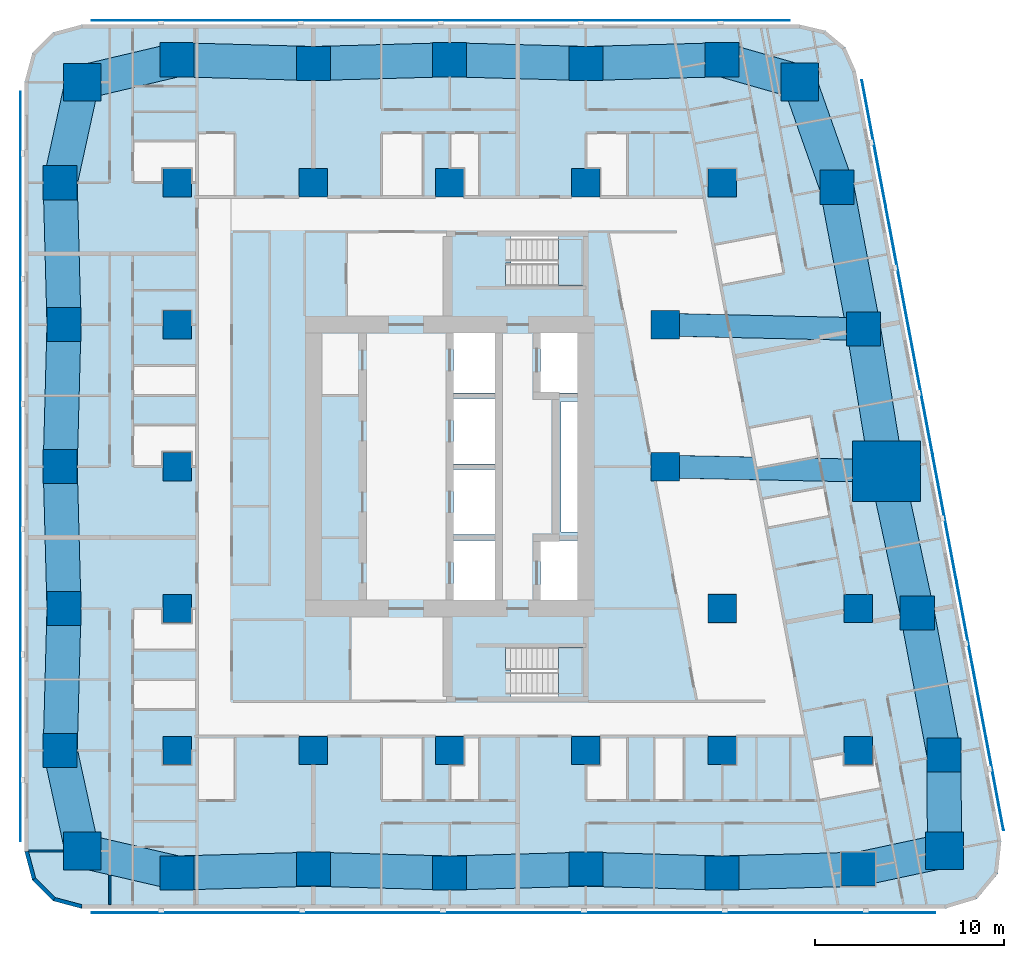
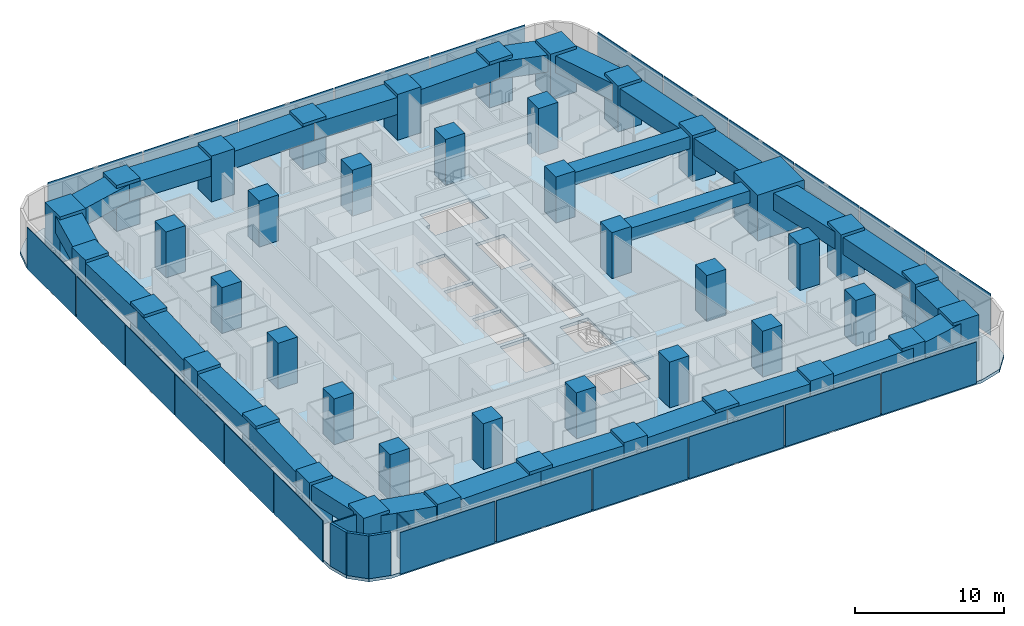
# One storey, part 1 of 15: 43 columns, 27 beams, 23 plates, 5 walls, 3 slabs, 2 elements without a shape of their own.
"""IFC4 building model written with IfcOpenShell, lengths in metres."""

from ifc_helpers import new_model, si_unit, direction, frame, frame_2d, origin, origin_2d, place, context, subcontext, project, spatial, polyline, rectangle, outline, extrude, material, layer, layer_set, material_profile, profile_set, type_object, element, aggregate, save


model = new_model("IFC4")

# Units and contexts
model_context = context("Model", 3, precision=1e-05, world=origin(), true_north=direction((0.0, 1.0)))
body_context = subcontext(model_context, "Body", "Model", "MODEL_VIEW")
ifc_project = project(units=[si_unit("LENGTHUNIT", "METRE"), si_unit("AREAUNIT", "SQUARE_METRE"), si_unit("VOLUMEUNIT", "CUBIC_METRE"), si_unit("PLANEANGLEUNIT", "RADIAN"), si_unit("MASSUNIT", "GRAM", prefix="KILO")], contexts=[model_context])

# Site, building, storey
site_placement = place(None, origin())
site = spatial("IfcSite", under=ifc_project, at=site_placement, CompositionType="ELEMENT")
building_placement = place(site_placement, origin())
building = spatial("IfcBuilding", under=site, at=building_placement, Name="Sheger Commons Tower", CompositionType="ELEMENT")
storey_placement = place(building_placement, frame((0.0, 0.0, 150.800048828125)))
storey = spatial("IfcBuildingStorey", under=building, at=storey_placement, Name="L38", CompositionType="ELEMENT", Elevation=150.800048828125)

# Columns
ifc_material_1 = material(Name="Concrete C50/60", Category="concrete")
ifc_material_profile_1 = material_profile(ifc_material_1, rectangle(XDim=3.60009765625, YDim=3.199951171875, at=origin_2d()), Name="RC 3600x3200")
ifc_profile_set_1 = profile_set([ifc_material_profile_1], Name="Concrete C50/60")
column_type_1 = type_object("IfcColumnType", Name="COLUMN PIER RC 3600x3200", PredefinedType="COLUMN", material=ifc_profile_set_1)
column_placement = place(storey_placement, frame((44.697021484375, 22.262939453125, 0.0), z_axis=(0.0, 0.0, 1.0), x_axis=(1.0, 0.0, 0.0)))
element("IfcColumn", 1, at=column_placement, inside=storey, type_object=column_type_1, Name="Pier 7/D+E/D L38", PredefinedType="COLUMN", context=body_context, shape_type="SweptSolid", body=[
    extrude(rectangle(XDim=3.60009765625, YDim=3.199951171875, at=origin_2d()), origin(), (0.0, 0.0, 1.0), 3.75),
])
ifc_material_2 = material(Name="Concrete C50/60", Category="concrete")
ifc_material_profile_2 = material_profile(ifc_material_2, rectangle(XDim=1.5, YDim=1.5, at=origin_2d()), Name="RC 1500x1500")
ifc_profile_set_2 = profile_set([ifc_material_profile_2], Name="Concrete C50/60")
column_type_2 = type_object("IfcColumnType", Name="COLUMN RC 1500x1500", PredefinedType="COLUMN", material=ifc_profile_set_2)
for number, where, z_axis, x_axis, name in (
    (2, (7.199951171875, 7.5, 0.0), (0.0, 0.0, 1.0), (1.0, 0.0, 0.0), "Column 2/B L38"),
    (3, (14.39990234375, 7.5, 0.0), (0.0, 0.0, 1.0), (1.0, 0.0, 0.0), "Column 3/B L38"),
    (4, (21.60009765625, 7.5, 0.0), (0.0, 0.0, 1.0), (1.0, 0.0, 0.0), "Column 4/B L38"),
    (5, (28.800048828125, 7.5, 0.0), (0.0, 0.0, 1.0), (1.0, 0.0, 0.0), "Column 5/B L38"),
    (6, (36.0, 7.5, 0.0), (0.0, 0.0, 1.0), (1.0, 0.0, 0.0), "Column 6/B L38"),
    (7, (43.199951171875, 7.5, 0.0), (0.0, 0.0, 1.0), (1.0, 0.0, 0.0), "Column 7/B L38"),
    (8, (7.199951171875, 15.0, 0.0), (0.0, 0.0, 1.0), (1.0, 0.0, 0.0), "Column 2/C L38"),
    (9, (36.0, 15.0, 0.0), (0.0, 0.0, 1.0), (1.0, 0.0, 0.0), "Column 6/C L38"),
    (10, (43.199951171875, 15.0, 0.0), (0.0, 0.0, 1.0), (1.0, 0.0, 0.0), "Column 7/C L38"),
    (11, (7.199951171875, 22.5, 0.0), (0.0, 0.0, 1.0), (1.0, 0.0, 0.0), "Column 2/D L38"),
    (12, (33.0, 22.5, 0.0), (0.0, 0.0, 1.0), (1.0, 0.0, 0.0), "Column 6-3000/D L38"),
    (13, (7.199951171875, 30.0, 0.0), (0.0, 0.0, 1.0), (1.0, 0.0, 0.0), "Column 2/E L38"),
    (14, (33.0, 30.0, 0.0), (0.0, 0.0, 1.0), (1.0, 0.0, 0.0), "Column 6-3000/E L38"),
    (15, (7.199951171875, 37.5, 0.0), (0.0, 0.0, 1.0), (1.0, 0.0, 0.0), "Column 2/F L38"),
    (16, (14.39990234375, 37.5, 0.0), (0.0, 0.0, 1.0), (1.0, 0.0, 0.0), "Column 3/F L38"),
    (17, (21.60009765625, 37.5, 0.0), (0.0, 0.0, 1.0), (1.0, 0.0, 0.0), "Column 4/F L38"),
    (18, (28.800048828125, 37.5, 0.0), (0.0, 0.0, 1.0), (1.0, 0.0, 0.0), "Column 5/F L38"),
    (19, (36.0, 37.5, 0.0), (0.0, 0.0, 1.0), (1.0, 0.0, 0.0), "Column 6/F L38"),
):
    element("IfcColumn", number, at=place(storey_placement, frame(where, z_axis=z_axis, x_axis=x_axis)), inside=storey, type_object=column_type_2, Name=name, PredefinedType="COLUMN", context=body_context, shape_type="SweptSolid", body=[
        extrude(rectangle(XDim=1.5, YDim=1.5, at=origin_2d()), origin(), (0.0, 0.0, 1.0), 3.75),
    ])
ifc_material_3 = material(Name="Concrete C50/60", Category="concrete")
ifc_material_profile_3 = material_profile(ifc_material_3, rectangle(XDim=1.800048828125, YDim=1.800048828125, at=origin_2d()), Name="RC 1800x1800")
ifc_profile_set_3 = profile_set([ifc_material_profile_3], Name="Concrete C50/60")
column_type_3 = type_object("IfcColumnType", Name="COLUMN RC 1800x1800", PredefinedType="COLUMN", material=ifc_profile_set_3)
for number, where, z_axis, x_axis, name in (
    (20, (7.199951171875, 1.02490234375, 0.0), (0.0, 0.0, 1.0), (1.0, 0.0, 0.0), "Column 2/A L38"),
    (21, (14.39990234375, 1.22509765625, 0.0), (0.0, 0.0, 1.0), (1.0, 0.0, 0.0), "Column 3/A L38"),
    (22, (21.60009765625, 1.02490234375, 0.0), (0.0, 0.0, 1.0), (1.0, 0.0, 0.0), "Column 4/A L38"),
    (23, (28.800048828125, 1.22509765625, 0.0), (0.0, 0.0, 1.0), (1.0, 0.0, 0.0), "Column 5/A L38"),
    (24, (36.0, 1.02490234375, 0.0), (0.0, 0.0, 1.0), (1.0, 0.0, 0.0), "Column 6/A L38"),
    (25, (43.199951171875, 1.22509765625, 0.0), (0.0, 0.0, 1.0), (1.0, 0.0, 0.0), "Column 7/A L38"),
    (26, (1.02490234375, 7.5, 0.0), (0.0, 0.0, 1.0), (1.0, 0.0, 0.0), "Column 1/B L38"),
    (27, (47.72998046875, 7.262939453125, 0.0), (0.0, 0.0, 1.0), (1.0, 0.0, 0.0), "Column E/B L38"),
    (28, (1.22509765625, 15.0, 0.0), (0.0, 0.0, 1.0), (1.0, 0.0, 0.0), "Column 1/C L38"),
    (29, (46.31396484375, 14.762939453125, 0.0), (0.0, 0.0, 1.0), (1.0, 0.0, 0.0), "Column E/C L38"),
    (30, (1.02490234375, 22.5, 0.0), (0.0, 0.0, 1.0), (1.0, 0.0, 0.0), "Column 1/D L38"),
    (31, (1.22509765625, 30.0, 0.0), (0.0, 0.0, 1.0), (1.0, 0.0, 0.0), "Column 1/E L38"),
    (32, (43.47998046875, 29.762939453125, 0.0), (0.0, 0.0, 1.0), (1.0, 0.0, 0.0), "Column E/E L38"),
    (33, (1.02490234375, 37.5, 0.0), (0.0, 0.0, 1.0), (1.0, 0.0, 0.0), "Column 1/F L38"),
    (34, (42.06396484375, 37.262939453125, 0.0), (0.0, 0.0, 1.0), (1.0, 0.0, 0.0), "Column E/F L38"),
    (35, (7.199951171875, 44.0, 0.0), (0.0, 0.0, 1.0), (1.0, 0.0, 0.0), "Column 2/G L38"),
    (36, (14.39990234375, 43.800048828125, 0.0), (0.0, 0.0, 1.0), (1.0, 0.0, 0.0), "Column 3/G L38"),
    (37, (21.60009765625, 44.0, 0.0), (0.0, 0.0, 1.0), (1.0, 0.0, 0.0), "Column 4/G L38"),
    (38, (28.800048828125, 43.800048828125, 0.0), (0.0, 0.0, 1.0), (1.0, 0.0, 0.0), "Column 5/G L38"),
    (39, (36.0, 44.0, 0.0), (0.0, 0.0, 1.0), (1.0, 0.0, 0.0), "Column 6/G L38"),
):
    element("IfcColumn", number, at=place(storey_placement, frame(where, z_axis=z_axis, x_axis=x_axis)), inside=storey, type_object=column_type_3, Name=name, PredefinedType="COLUMN", context=body_context, shape_type="SweptSolid", body=[
        extrude(rectangle(XDim=1.800048828125, YDim=1.800048828125, at=origin_2d()), origin(), (0.0, 0.0, 1.0), 3.75),
    ])
ifc_material_4 = material(Name="Concrete C50/60", Category="concrete")
ifc_material_profile_4 = material_profile(ifc_material_4, rectangle(XDim=2.0, YDim=2.0, at=origin_2d()), Name="RC 2000x2000")
ifc_profile_set_4 = profile_set([ifc_material_profile_4], Name="Concrete C50/60")
column_type_4 = type_object("IfcColumnType", Name="COLUMN RC 2000x2000", PredefinedType="COLUMN", material=ifc_profile_set_4)
for number, where, z_axis, x_axis, name in (
    (40, (2.18603515625, 2.18603515625, 0.0), (0.0, 0.0, 1.0), (1.0, 0.0, 0.0), "Column 0.630,0.630 L38"),
    (41, (47.748046875, 2.197021484375, 0.0), (0.0, 0.0, 1.0), (1.0, 0.0, 0.0), "Column 49.461,0.778 L38"),
    (42, (2.18603515625, 42.81396484375, 0.0), (0.0, 0.0, 1.0), (1.0, 0.0, 0.0), "Column 0.630,44.370 L38"),
    (43, (40.10205078125, 42.830078125, 0.0), (0.0, 0.0, 1.0), (1.0, 0.0, 0.0), "Column 41.490,44.505 L38"),
):
    element("IfcColumn", number, at=place(storey_placement, frame(where, z_axis=z_axis, x_axis=x_axis)), inside=storey, type_object=column_type_4, Name=name, PredefinedType="COLUMN", context=body_context, shape_type="SweptSolid", body=[
        extrude(rectangle(XDim=2.0, YDim=2.0, at=origin_2d()), origin(), (0.0, 0.0, 1.0), 3.75),
    ])

# Beams
ifc_material_5 = material(Name="Concrete C50/60", Category="concrete")
ifc_material_profile_5 = material_profile(ifc_material_5, rectangle(XDim=1.199951171875, YDim=1.0, at=origin_2d()), Name="RC 1200x1000")
ifc_profile_set_5 = profile_set([ifc_material_profile_5], Name="Concrete C50/60")
beam_type_1 = type_object("IfcBeamType", Name="BEAM RC 1200x1000", PredefinedType="BEAM", material=ifc_profile_set_5)
beam_1_placement = place(storey_placement, frame((33.0, 22.5, 3.0), z_axis=(0.999794692776, -0.02026258368, 0.0), x_axis=(0.02026258368, 0.999794692776, 0.0)))
element("IfcBeam", 44, at=beam_1_placement, inside=storey, type_object=beam_type_1, Name="Beam 6-3000/D-7/D under L39", PredefinedType="BEAM", context=body_context, shape_type="SweptSolid", body=[
    extrude(rectangle(XDim=1.199951171875, YDim=1.0, at=origin_2d()), origin(), (0.0, 0.0, 1.0), 11.699462890625),
])
beam_2_placement = place(storey_placement, frame((33.0, 30.0, 3.0), z_axis=(0.999744258625, -0.022614538395, 0.0), x_axis=(0.022614538395, 0.999744258625, 0.0)))
element("IfcBeam", 45, at=beam_2_placement, inside=storey, type_object=beam_type_1, Name="Beam 6-3000/E-E/E under L39", PredefinedType="BEAM", context=body_context, shape_type="SweptSolid", body=[
    extrude(rectangle(XDim=1.199951171875, YDim=1.0, at=origin_2d()), origin(), (0.0, 0.0, 1.0), 10.482666015625),
])
ifc_material_6 = material(Name="Concrete C50/60", Category="concrete")
ifc_material_profile_6 = material_profile(ifc_material_6, rectangle(XDim=1.800048828125, YDim=1.39990234375, at=origin_2d()), Name="RC 1800x1400")
ifc_profile_set_6 = profile_set([ifc_material_profile_6], Name="Concrete C50/60")
beam_type_2 = type_object("IfcBeamType", Name="SPANDREL RC 1800x1400", PredefinedType="SPANDREL", material=ifc_profile_set_6)
beam_3_placement = place(storey_placement, frame((2.18603515625, 2.18603515625, 2.800048828125), z_axis=(0.974217413499, -0.225611239159, 0.0), x_axis=(0.225611239159, 0.974217413499, 0.0)))
element("IfcBeam", 46, at=beam_3_placement, inside=storey, type_object=beam_type_2, Name="Beam 0.630,0.630-2/A under L39", PredefinedType="SPANDREL", context=body_context, shape_type="SweptSolid", body=[
    extrude(rectangle(XDim=1.800048828125, YDim=1.39990234375, at=origin_2d()), origin(), (0.0, 0.0, 1.0), 5.146728515625),
])
beam_4_placement = place(storey_placement, frame((7.199951171875, 1.02490234375, 2.800048828125), z_axis=(0.9996136624, 0.027794350926, 0.0), x_axis=(-0.027794350926, 0.9996136624, 0.0)))
element("IfcBeam", 47, at=beam_4_placement, inside=storey, type_object=beam_type_2, Name="Beam 2/A-3/A under L39", PredefinedType="SPANDREL", context=body_context, shape_type="SweptSolid", body=[
    extrude(rectangle(XDim=1.800048828125, YDim=1.39990234375, at=origin_2d()), origin(), (0.0, 0.0, 1.0), 7.20263671875),
])
beam_5_placement = place(storey_placement, frame((14.39990234375, 1.22509765625, 2.800048828125), z_axis=(0.999613688584, -0.027793409217, 0.0), x_axis=(0.027793409217, 0.999613688584, 0.0)))
element("IfcBeam", 48, at=beam_5_placement, inside=storey, type_object=beam_type_2, Name="Beam 3/A-4/A under L39", PredefinedType="SPANDREL", context=body_context, shape_type="SweptSolid", body=[
    extrude(rectangle(XDim=1.800048828125, YDim=1.39990234375, at=origin_2d()), origin(), (0.0, 0.0, 1.0), 7.202880859375),
])
for number, where, z_axis, x_axis, name in (
    (49, (21.60009765625, 1.02490234375, 2.800048828125), (0.9996136624, 0.027794350926, 0.0), (-0.027794350926, 0.9996136624, 0.0), "Beam 4/A-5/A under L39"),
    (50, (28.800048828125, 1.22509765625, 2.800048828125), (0.9996136624, -0.027794350926, 0.0), (0.027794350926, 0.9996136624, 0.0), "Beam 5/A-6/A under L39"),
    (51, (36.0, 1.02490234375, 2.800048828125), (0.9996136624, 0.027794350926, 0.0), (-0.027794350926, 0.9996136624, 0.0), "Beam 6/A-7/A under L39"),
):
    element("IfcBeam", number, at=place(storey_placement, frame(where, z_axis=z_axis, x_axis=x_axis)), inside=storey, type_object=beam_type_2, Name=name, PredefinedType="SPANDREL", context=body_context, shape_type="SweptSolid", body=[
        extrude(rectangle(XDim=1.800048828125, YDim=1.39990234375, at=origin_2d()), origin(), (0.0, 0.0, 1.0), 7.20263671875),
    ])
beam_6_placement = place(storey_placement, frame((43.199951171875, 1.22509765625, 2.800048828125), z_axis=(0.977919796671, 0.208980552394, 0.0), x_axis=(-0.208980552394, 0.977919796671, 0.0)))
element("IfcBeam", 52, at=beam_6_placement, inside=storey, type_object=beam_type_2, Name="Beam 7/A-49.461,0.778 under L39", PredefinedType="SPANDREL", context=body_context, shape_type="SweptSolid", body=[
    extrude(rectangle(XDim=1.800048828125, YDim=1.39990234375, at=origin_2d()), origin(), (0.0, 0.0, 1.0), 4.65087890625),
])
beam_7_placement = place(storey_placement, frame((47.748046875, 2.197021484375, 2.800048828125), z_axis=(-0.003566242382, 0.999993640937, 0.0), x_axis=(-0.999993640937, -0.003566242382, 0.0)))
element("IfcBeam", 53, at=beam_7_placement, inside=storey, type_object=beam_type_2, Name="Beam 49.461,0.778-E/B under L39", PredefinedType="SPANDREL", context=body_context, shape_type="SweptSolid", body=[
    extrude(rectangle(XDim=1.800048828125, YDim=1.39990234375, at=origin_2d()), origin(), (0.0, 0.0, 1.0), 5.06591796875),
])
beam_8_placement = place(storey_placement, frame((47.72998046875, 7.262939453125, 2.800048828125), z_axis=(-0.18552441405, 0.982639655108, 0.0), x_axis=(-0.982639655108, -0.18552441405, 0.0)))
element("IfcBeam", 54, at=beam_8_placement, inside=storey, type_object=beam_type_2, Name="Beam E/B-E/C under L39", PredefinedType="SPANDREL", context=body_context, shape_type="SweptSolid", body=[
    extrude(rectangle(XDim=1.800048828125, YDim=1.39990234375, at=origin_2d()), origin(), (0.0, 0.0, 1.0), 7.632568359375),
])
beam_9_placement = place(storey_placement, frame((46.31396484375, 14.762939453125, 2.800048828125), z_axis=(-0.210750229323, 0.977539943348, 0.0), x_axis=(-0.977539943348, -0.210750229323, 0.0)))
element("IfcBeam", 55, at=beam_9_placement, inside=storey, type_object=beam_type_2, Name="Beam E/C-E/D under L39", PredefinedType="SPANDREL", context=body_context, shape_type="SweptSolid", body=[
    extrude(rectangle(XDim=1.800048828125, YDim=1.39990234375, at=origin_2d()), origin(), (0.0, 0.0, 1.0), 7.67236328125),
])
beam_10_placement = place(storey_placement, frame((44.697021484375, 22.262939453125, 2.800048828125), z_axis=(-0.160176929512, 0.987088319884, 0.0), x_axis=(-0.987088319884, -0.160176929512, 0.0)))
element("IfcBeam", 56, at=beam_10_placement, inside=storey, type_object=beam_type_2, Name="Beam E/D-E/E under L39", PredefinedType="SPANDREL", context=body_context, shape_type="SweptSolid", body=[
    extrude(rectangle(XDim=1.800048828125, YDim=1.39990234375, at=origin_2d()), origin(), (0.0, 0.0, 1.0), 7.59814453125),
])
beam_11_placement = place(storey_placement, frame((43.47998046875, 29.762939453125, 2.800048828125), z_axis=(-0.18552441405, 0.982639655108, 0.0), x_axis=(-0.982639655108, -0.18552441405, 0.0)))
element("IfcBeam", 57, at=beam_11_placement, inside=storey, type_object=beam_type_2, Name="Beam E/E-E/F under L39", PredefinedType="SPANDREL", context=body_context, shape_type="SweptSolid", body=[
    extrude(rectangle(XDim=1.800048828125, YDim=1.39990234375, at=origin_2d()), origin(), (0.0, 0.0, 1.0), 7.632568359375),
])
beam_12_placement = place(storey_placement, frame((42.06396484375, 37.262939453125, 2.800048828125), z_axis=(-0.332374403357, 0.943147526102, 0.0), x_axis=(-0.943147526102, -0.332374403357, 0.0)))
element("IfcBeam", 58, at=beam_12_placement, inside=storey, type_object=beam_type_2, Name="Beam E/F-41.490,44.505 under L39", PredefinedType="SPANDREL", context=body_context, shape_type="SweptSolid", body=[
    extrude(rectangle(XDim=1.800048828125, YDim=1.39990234375, at=origin_2d()), origin(), (0.0, 0.0, 1.0), 5.90283203125),
])
beam_13_placement = place(storey_placement, frame((40.10205078125, 42.830078125, 2.800048828125), z_axis=(-0.961653428129, 0.274267541221, 0.0), x_axis=(-0.274267541221, -0.961653428129, 0.0)))
element("IfcBeam", 59, at=beam_13_placement, inside=storey, type_object=beam_type_2, Name="Beam 41.490,44.505-6/G under L39", PredefinedType="SPANDREL", context=body_context, shape_type="SweptSolid", body=[
    extrude(rectangle(XDim=1.800048828125, YDim=1.39990234375, at=origin_2d()), origin(), (0.0, 0.0, 1.0), 4.265625),
])
for number, where, z_axis, x_axis, name in (
    (60, (36.0, 44.0, 2.800048828125), (-0.999614603568, -0.027760481514, 0.0), (0.027760481514, -0.999614603568, 0.0), "Beam 6/G-5/G under L39"),
    (61, (28.800048828125, 43.800048828125, 2.800048828125), (-0.999614603568, 0.027760481514, 0.0), (-0.027760481514, -0.999614603568, 0.0), "Beam 5/G-4/G under L39"),
):
    element("IfcBeam", number, at=place(storey_placement, frame(where, z_axis=z_axis, x_axis=x_axis)), inside=storey, type_object=beam_type_2, Name=name, PredefinedType="SPANDREL", context=body_context, shape_type="SweptSolid", body=[
        extrude(rectangle(XDim=1.800048828125, YDim=1.39990234375, at=origin_2d()), origin(), (0.0, 0.0, 1.0), 7.20263671875),
    ])
beam_14_placement = place(storey_placement, frame((21.60009765625, 44.0, 2.800048828125), z_axis=(-0.999614629688, -0.027759540951, 0.0), x_axis=(0.027759540951, -0.999614629688, 0.0)))
element("IfcBeam", 62, at=beam_14_placement, inside=storey, type_object=beam_type_2, Name="Beam 4/G-3/G under L39", PredefinedType="SPANDREL", context=body_context, shape_type="SweptSolid", body=[
    extrude(rectangle(XDim=1.800048828125, YDim=1.39990234375, at=origin_2d()), origin(), (0.0, 0.0, 1.0), 7.202880859375),
])
beam_15_placement = place(storey_placement, frame((14.39990234375, 43.800048828125, 2.800048828125), z_axis=(-0.999614603568, 0.027760481514, 0.0), x_axis=(-0.027760481514, -0.999614603568, 0.0)))
element("IfcBeam", 63, at=beam_15_placement, inside=storey, type_object=beam_type_2, Name="Beam 3/G-2/G under L39", PredefinedType="SPANDREL", context=body_context, shape_type="SweptSolid", body=[
    extrude(rectangle(XDim=1.800048828125, YDim=1.39990234375, at=origin_2d()), origin(), (0.0, 0.0, 1.0), 7.20263671875),
])
beam_16_placement = place(storey_placement, frame((7.199951171875, 44.0, 2.800048828125), z_axis=(-0.97314428949, -0.230195985701, 0.0), x_axis=(0.230195985701, -0.97314428949, 0.0)))
element("IfcBeam", 64, at=beam_16_placement, inside=storey, type_object=beam_type_2, Name="Beam 2/G-0.630,44.370 under L39", PredefinedType="SPANDREL", context=body_context, shape_type="SweptSolid", body=[
    extrude(rectangle(XDim=1.800048828125, YDim=1.39990234375, at=origin_2d()), origin(), (0.0, 0.0, 1.0), 5.15234375),
])
beam_17_placement = place(storey_placement, frame((2.18603515625, 42.81396484375, 2.800048828125), z_axis=(-0.213469314652, -0.976949769283, 0.0), x_axis=(0.976949769283, -0.213469314652, 0.0)))
element("IfcBeam", 65, at=beam_17_placement, inside=storey, type_object=beam_type_2, Name="Beam 0.630,44.370-1/F under L39", PredefinedType="SPANDREL", context=body_context, shape_type="SweptSolid", body=[
    extrude(rectangle(XDim=1.800048828125, YDim=1.39990234375, at=origin_2d()), origin(), (0.0, 0.0, 1.0), 5.439453125),
])
for number, where, z_axis, x_axis, name in (
    (66, (1.02490234375, 37.5, 2.800048828125), (0.026683204125, -0.999643939919, 0.0), (0.999643939919, 0.026683204125, 0.0), "Beam 1/F-1/E under L39"),
    (67, (1.22509765625, 30.0, 2.800048828125), (-0.026683204125, -0.999643939919, 0.0), (0.999643939919, -0.026683204125, 0.0), "Beam 1/E-1/D under L39"),
    (68, (1.02490234375, 22.5, 2.800048828125), (0.026683204125, -0.999643939919, 0.0), (0.999643939919, 0.026683204125, 0.0), "Beam 1/D-1/C under L39"),
    (69, (1.22509765625, 15.0, 2.800048828125), (-0.026683204125, -0.999643939919, 0.0), (0.999643939919, -0.026683204125, 0.0), "Beam 1/C-1/B under L39"),
):
    element("IfcBeam", number, at=place(storey_placement, frame(where, z_axis=z_axis, x_axis=x_axis)), inside=storey, type_object=beam_type_2, Name=name, PredefinedType="SPANDREL", context=body_context, shape_type="SweptSolid", body=[
        extrude(rectangle(XDim=1.800048828125, YDim=1.39990234375, at=origin_2d()), origin(), (0.0, 0.0, 1.0), 7.502685546875),
    ])
beam_18_placement = place(storey_placement, frame((1.02490234375, 7.5, 2.800048828125), z_axis=(0.213469314652, -0.976949769283, 0.0), x_axis=(0.976949769283, 0.213469314652, 0.0)))
element("IfcBeam", 70, at=beam_18_placement, inside=storey, type_object=beam_type_2, Name="Beam 1/B-0.630,0.630 under L39", PredefinedType="SPANDREL", context=body_context, shape_type="SweptSolid", body=[
    extrude(rectangle(XDim=1.800048828125, YDim=1.39990234375, at=origin_2d()), origin(), (0.0, 0.0, 1.0), 5.439453125),
])

# Slab
ifc_material_7 = material(Name="Concrete C35/45", Category="concrete")
ifc_layer_1 = layer(ifc_material_7, 0.25)
ifc_layer_set_1 = layer_set([ifc_layer_1], Name="SLAB FLOOR 250")
slab_type_1 = type_object("IfcSlabType", Name="SLAB FLOOR 250", PredefinedType="FLOOR", material=ifc_layer_set_1)
slab_1_placement = place(storey_placement, frame((0.0, 0.0, -0.25)))
element("IfcSlab", 71, at=slab_1_placement, inside=storey, type_object=slab_type_1, Name="L38 floor slab", PredefinedType="FLOOR", context=body_context, shape_type="SweptSolid", body=[
    extrude(outline(polyline([(-0.85009765625, 2.14990234375), (-0.447998046875, 0.64990234375), (0.64990234375, -0.447998046875), (2.14990234375, -0.85009765625), (47.805908203125, -0.85009765625), (49.465087890625, -0.35009765625), (50.570068359375, 0.98388671875), (50.75390625, 2.70703125), (43.06591796875, 43.406982421875), (42.509033203125, 44.660888671875), (41.452880859375, 45.535888671875), (40.117919921875, 45.85009765625), (2.14990234375, 45.85009765625), (0.64990234375, 45.447998046875), (-0.447998046875, 44.35009765625), (-0.85009765625, 42.85009765625), (-0.85009765625, 2.14990234375)]), holes=[polyline([(24.85009765625, 10.35009765625), (28.64990234375, 10.35009765625), (28.64990234375, 12.949951171875), (24.551025390625, 12.949951171875), (24.551025390625, 11.75), (24.85009765625, 11.75), (24.85009765625, 10.35009765625)]), polyline([(24.551025390625, 32.050048828125), (28.64990234375, 32.050048828125), (28.64990234375, 34.64990234375), (24.85009765625, 34.64990234375), (24.85009765625, 33.25), (24.551025390625, 33.25), (24.551025390625, 32.050048828125)]), polyline([(26.39990234375, 15.14990234375), (28.60009765625, 15.14990234375), (28.60009765625, 18.60009765625), (26.39990234375, 18.60009765625), (26.39990234375, 15.14990234375)]), polyline([(26.39990234375, 26.39990234375), (28.60009765625, 26.39990234375), (28.60009765625, 29.85009765625), (26.39990234375, 29.85009765625), (26.39990234375, 26.39990234375)]), polyline([(21.800048828125, 15.14990234375), (24.0, 15.14990234375), (24.0, 18.60009765625), (21.800048828125, 18.60009765625), (21.800048828125, 15.14990234375)]), polyline([(21.800048828125, 18.89990234375), (24.0, 18.89990234375), (24.0, 22.35009765625), (21.800048828125, 22.35009765625), (21.800048828125, 18.89990234375)]), polyline([(21.800048828125, 22.64990234375), (24.0, 22.64990234375), (24.0, 26.10009765625), (21.800048828125, 26.10009765625), (21.800048828125, 22.64990234375)]), polyline([(21.800048828125, 26.39990234375), (24.0, 26.39990234375), (24.0, 29.85009765625), (21.800048828125, 29.85009765625), (21.800048828125, 26.39990234375)]), polyline([(27.5, 19.050048828125), (28.5, 19.050048828125), (28.5, 25.949951171875), (27.5, 25.949951171875), (27.5, 19.050048828125)])]), origin(), (0.0, 0.0, 1.0), 0.25),
])

# Plates
ifc_material_8 = material(Name="Perforated black anodised aluminium screen", Category="aluminium")
ifc_layer_2 = layer(ifc_material_8, 0.050048828125)
ifc_layer_set_2 = layer_set([ifc_layer_2], Name="SOLAR SCREEN SCREEN-1")
plate_type = type_object("IfcPlateType", Name="SOLAR SCREEN SCREEN-1", PredefinedType="USERDEFINED", material=ifc_layer_set_2)
for number, where, z_axis, x_axis, name in (
    (72, (6.37109375, -1.074951171875, 0.050048828125), (0.0, 0.0, 1.0), (1.0, 0.0, 0.0), "Perforated solar screen panel"),
    (73, (13.81396484375, -1.074951171875, 0.050048828125), (0.0, 0.0, 1.0), (1.0, 0.0, 0.0), "Perforated solar screen panel"),
    (74, (21.257080078125, -1.074951171875, 0.050048828125), (0.0, 0.0, 1.0), (1.0, 0.0, 0.0), "Perforated solar screen panel"),
    (75, (28.698974609375, -1.074951171875, 0.050048828125), (0.0, 0.0, 1.0), (1.0, 0.0, 0.0), "Perforated solar screen panel"),
    (76, (36.14208984375, -1.074951171875, 0.050048828125), (0.0, 0.0, 1.0), (1.0, 0.0, 0.0), "Perforated solar screen panel"),
    (77, (43.5849609375, -1.074951171875, 0.050048828125), (0.0, 0.0, 1.0), (1.0, 0.0, 0.0), "Perforated solar screen panel"),
):
    element("IfcPlate", number, at=place(storey_placement, frame(where, z_axis=z_axis, x_axis=x_axis)), inside=storey, type_object=plate_type, Name=name, ObjectType="SCREEN", PredefinedType="USERDEFINED", context=body_context, shape_type="SweptSolid", body=[
        extrude(rectangle(XDim=7.343017578125, YDim=0.050048828125, at=origin_2d()), origin(), (0.0, 0.0, 1.0), 3.39990234375),
    ])
for number, where, z_axis, x_axis, name in (
    (78, (50.257080078125, 6.550048828125, 0.050048828125), (0.0, 0.0, 1.0), (-0.185615165645, 0.982622516678, 0.0), "Perforated solar screen panel"),
    (79, (49.007080078125, 13.1689453125, 0.050048828125), (0.0, 0.0, 1.0), (-0.185615165645, 0.982622516678, 0.0), "Perforated solar screen panel"),
    (80, (47.756103515625, 19.7890625, 0.050048828125), (0.0, 0.0, 1.0), (-0.185615165645, 0.982622516678, 0.0), "Perforated solar screen panel"),
    (81, (46.506103515625, 26.408935546875, 0.050048828125), (0.0, 0.0, 1.0), (-0.185615165645, 0.982622516678, 0.0), "Perforated solar screen panel"),
    (82, (45.2548828125, 33.028076171875, 0.050048828125), (0.0, 0.0, 1.0), (-0.185615165645, 0.982622516678, 0.0), "Perforated solar screen panel"),
    (83, (44.0048828125, 39.64794921875, 0.050048828125), (0.0, 0.0, 1.0), (-0.185615165645, 0.982622516678, 0.0), "Perforated solar screen panel"),
):
    element("IfcPlate", number, at=place(storey_placement, frame(where, z_axis=z_axis, x_axis=x_axis)), inside=storey, type_object=plate_type, Name=name, ObjectType="SCREEN", PredefinedType="USERDEFINED", context=body_context, shape_type="SweptSolid", body=[
        extrude(rectangle(XDim=6.636962890625, YDim=0.050048828125, at=origin_2d()), origin(), (0.0, 0.0, 1.0), 3.39990234375),
    ])
for number, where, z_axis, x_axis, name in (
    (84, (35.9208984375, 46.074951171875, 0.050048828125), (0.0, 0.0, 1.0), (-1.0, 0.0, 0.0), "Perforated solar screen panel"),
    (85, (28.528076171875, 46.074951171875, 0.050048828125), (0.0, 0.0, 1.0), (-1.0, 0.0, 0.0), "Perforated solar screen panel"),
    (86, (21.134033203125, 46.074951171875, 0.050048828125), (0.0, 0.0, 1.0), (-1.0, 0.0, 0.0), "Perforated solar screen panel"),
    (87, (13.739990234375, 46.074951171875, 0.050048828125), (0.0, 0.0, 1.0), (-1.0, 0.0, 0.0), "Perforated solar screen panel"),
    (88, (6.346923828125, 46.074951171875, 0.050048828125), (0.0, 0.0, 1.0), (-1.0, 0.0, 0.0), "Perforated solar screen panel"),
):
    element("IfcPlate", number, at=place(storey_placement, frame(where, z_axis=z_axis, x_axis=x_axis)), inside=storey, type_object=plate_type, Name=name, ObjectType="SCREEN", PredefinedType="USERDEFINED", context=body_context, shape_type="SweptSolid", body=[
        extrude(rectangle(XDim=7.2939453125, YDim=0.050048828125, at=origin_2d()), origin(), (0.0, 0.0, 1.0), 3.39990234375),
    ])
for number, where, z_axis, x_axis, name in (
    (89, (-1.074951171875, 39.0419921875, 0.050048828125), (0.0, 0.0, 1.0), (0.0, -1.0, 0.0), "Perforated solar screen panel"),
    (90, (-1.074951171875, 32.425048828125, 0.050048828125), (0.0, 0.0, 1.0), (0.0, -1.0, 0.0), "Perforated solar screen panel"),
    (91, (-1.074951171875, 25.80810546875, 0.050048828125), (0.0, 0.0, 1.0), (0.0, -1.0, 0.0), "Perforated solar screen panel"),
    (92, (-1.074951171875, 19.19189453125, 0.050048828125), (0.0, 0.0, 1.0), (0.0, -1.0, 0.0), "Perforated solar screen panel"),
    (93, (-1.074951171875, 12.574951171875, 0.050048828125), (0.0, 0.0, 1.0), (0.0, -1.0, 0.0), "Perforated solar screen panel"),
    (94, (-1.074951171875, 5.9580078125, 0.050048828125), (0.0, 0.0, 1.0), (0.0, -1.0, 0.0), "Perforated solar screen panel"),
):
    element("IfcPlate", number, at=place(storey_placement, frame(where, z_axis=z_axis, x_axis=x_axis)), inside=storey, type_object=plate_type, Name=name, ObjectType="SCREEN", PredefinedType="USERDEFINED", context=body_context, shape_type="SweptSolid", body=[
        extrude(rectangle(XDim=6.51708984375, YDim=0.050048828125, at=origin_2d()), origin(), (0.0, 0.0, 1.0), 3.39990234375),
    ])

# Stair, slab
ifc_material_9 = material(Name="Concrete C35/45", Category="concrete")
stair_type = type_object("IfcStairType", Name="HALF-TURN STAIR 1200 RISE 3750", PredefinedType="HALF_TURN_STAIR", material=ifc_material_9)
stair_1_placement = place(storey_placement, origin())
stair_1 = element("IfcStair", 95, at=stair_1_placement, inside=storey, type_object=stair_type, Name="Stair S1 L38", PredefinedType="HALF_TURN_STAIR")
ifc_material_10 = material(Name="Concrete C35/45", Category="concrete")
ifc_layer_3 = layer(ifc_material_10, 0.199951171875)
ifc_layer_set_3 = layer_set([ifc_layer_3], Name="STAIR LANDING 200")
slab_type_2 = type_object("IfcSlabType", Name="STAIR LANDING 200", PredefinedType="LANDING", material=ifc_layer_set_3)
slab_2_placement = place(storey_placement, frame((0.0, 0.0, 1.675048828125)))
slab_2 = element("IfcSlab", 96, at=slab_2_placement, type_object=slab_type_2, Name="S1 landing 1", PredefinedType="LANDING", context=body_context, shape_type="SweptSolid", body=[
    extrude(outline(polyline([(27.35009765625, 10.199951171875), (28.800048828125, 10.199951171875), (28.800048828125, 12.949951171875), (27.35009765625, 12.949951171875), (27.35009765625, 10.199951171875)])), origin(), (0.0, 0.0, 1.0), 0.199951171875),
])
aggregate(stair_1, [slab_2])

stair_2_placement = place(storey_placement, origin())
stair_2 = element("IfcStair", 97, at=stair_2_placement, inside=storey, type_object=stair_type, Name="Stair S2 L38", PredefinedType="HALF_TURN_STAIR")
slab_3_placement = place(storey_placement, frame((0.0, 0.0, 1.675048828125)))
slab_3 = element("IfcSlab", 98, at=slab_3_placement, type_object=slab_type_2, Name="S2 landing 1", PredefinedType="LANDING", context=body_context, shape_type="SweptSolid", body=[
    extrude(outline(polyline([(27.35009765625, 32.050048828125), (28.800048828125, 32.050048828125), (28.800048828125, 34.800048828125), (27.35009765625, 34.800048828125), (27.35009765625, 32.050048828125)])), origin(), (0.0, 0.0, 1.0), 0.199951171875),
])
aggregate(stair_2, [slab_3])

# Walls
ifc_material_11 = material(Name="Rendered concrete block masonry, dark grey", Category="masonry")
ifc_layer_4 = layer(ifc_material_11, 0.199951171875)
ifc_layer_set_4 = layer_set([ifc_layer_4], Name="FACADE WALL 200")
wall_type_1 = type_object("IfcWallType", Name="FACADE WALL 200", PredefinedType="SOLIDWALL", material=ifc_layer_set_4)
wall_1_placement = place(storey_placement, frame((-0.75, 2.1630859375, 0.0), z_axis=(0.0, 0.0, 1.0), x_axis=(0.259168954497, -0.965832000415, 0.0)))
element("IfcWall", 99, at=wall_1_placement, inside=storey, type_object=wall_type_1, Name="Facade wall L38", PredefinedType="SOLIDWALL", context=body_context, shape_type="SweptSolid", body=[
    extrude(rectangle(XDim=1.512939453125, YDim=0.199951171875, at=frame_2d((0.75634765625, 0.0))), origin(), (0.0, 0.0, 1.0), 3.5),
])
wall_2_placement = place(storey_placement, frame((-0.35791015625, 0.701904296875, 0.0), z_axis=(0.0, 0.0, 1.0), x_axis=(0.707106781187, -0.707106781187, 0.0)))
element("IfcWall", 100, at=wall_2_placement, inside=storey, type_object=wall_type_1, Name="Facade wall L38", PredefinedType="SOLIDWALL", context=body_context, shape_type="SweptSolid", body=[
    extrude(rectangle(XDim=1.498779296875, YDim=0.199951171875, at=frame_2d((0.74951171875, 0.0))), origin(), (0.0, 0.0, 1.0), 3.5),
])
wall_3_placement = place(storey_placement, frame((0.701904296875, -0.35791015625, 0.0), z_axis=(0.0, 0.0, 1.0), x_axis=(0.965832000415, -0.259168954497, 0.0)))
element("IfcWall", 101, at=wall_3_placement, inside=storey, type_object=wall_type_1, Name="Facade wall L38", PredefinedType="SOLIDWALL", context=body_context, shape_type="SweptSolid", body=[
    extrude(rectangle(XDim=1.512939453125, YDim=0.199951171875, at=frame_2d((0.75634765625, 0.0))), origin(), (0.0, 0.0, 1.0), 3.5),
])
ifc_material_12 = material(Name="Gypsum board on steel studs", Category="steel")
ifc_layer_5 = layer(ifc_material_12, 0.10009765625)
ifc_layer_set_5 = layer_set([ifc_layer_5], Name="PARTITION 100")
wall_type_2 = type_object("IfcWallType", Name="PARTITION 100", PredefinedType="PARTITIONING", material=ifc_layer_set_5)
wall_4_placement = place(storey_placement, frame((3.64990234375, -0.64990234375, 0.0), z_axis=(0.0, 0.0, 1.0), x_axis=(0.0, 1.0, 0.0)))
element("IfcWall", 102, at=wall_4_placement, inside=storey, type_object=wall_type_2, Name="Partition L38", PredefinedType="PARTITIONING", context=body_context, shape_type="SweptSolid", body=[
    extrude(rectangle(XDim=1.56201171875, YDim=0.10009765625, at=frame_2d((0.781005859375, 0.0))), origin(), (0.0, 0.0, 1.0), 3.5),
])
wall_5_placement = place(storey_placement, frame((-0.64990234375, 2.18603515625, 0.0), z_axis=(0.0, 0.0, 1.0), x_axis=(1.0, 0.0, 0.0)))
element("IfcWall", 103, at=wall_5_placement, inside=storey, type_object=wall_type_2, Name="Partition L38", PredefinedType="PARTITIONING", context=body_context, shape_type="SweptSolid", body=[
    extrude(rectangle(XDim=1.8349609375, YDim=0.10009765625, at=frame_2d((0.91748046875, 0.0))), origin(), (0.0, 0.0, 1.0), 3.5),
])

save(model, "model.ifc")
